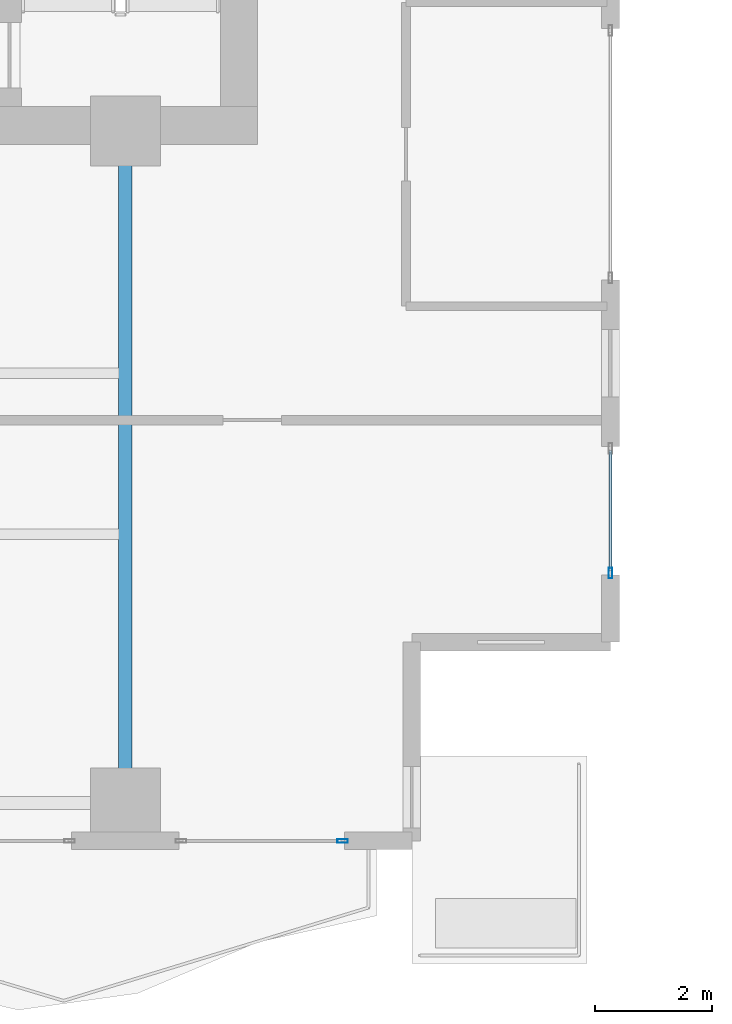
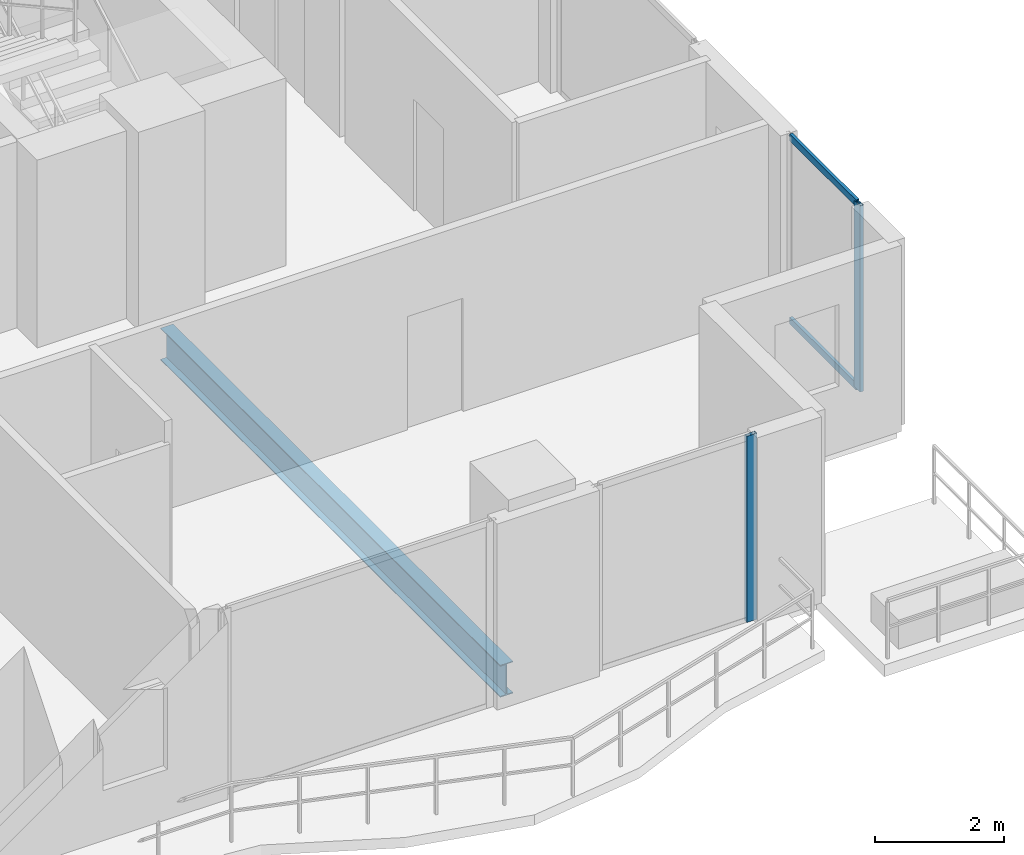
# One storey, part 12 of 33: 4 members, 1 beam, 2 elements without a shape of their own.
"""IFC4 building model written with IfcOpenShell, lengths in metres."""

import ifcopenshell
import ifcopenshell.guid

model = None  # the IFC model being written
_history = None  # IfcOwnerHistory: only IFC2X3 demands one
_inside = {}  # id of a spatial element -> (the spatial element, [elements in it])
_under = {}  # id of a project, library or spatial element -> (it, [spatial elements below it])
_declared = {}  # id of a project -> (the project, [libraries it declares])
_typed = {}  # id of a type object -> (the type object, [elements of that type])
_made_of = {}  # id of a material, layer set ... -> (it, [elements and type objects made of it])


def new_model(schema):
    """Start an empty IFC model of exactly this schema.

    Asked for "IFC4X3", IfcOpenShell would pick the latest addendum, in which some entities
    have other attributes; the version numbers below select the first issue.
    IFC2X3 requires an IfcOwnerHistory on every rooted entity: one is made here for all.
    """
    global model, _history
    if schema == "IFC4X3":
        model = ifcopenshell.file(schema_version=(4, 3, 0, 0))
    else:
        model = ifcopenshell.file(schema=schema)
    _inside.clear()
    _under.clear()
    _declared.clear()
    _typed.clear()
    _made_of.clear()
    _history = None
    if model.schema == "IFC2X3":
        org = make("IfcOrganization", Name="unknown")
        user = make(
            "IfcPersonAndOrganization",
            ThePerson=make("IfcPerson", FamilyName="unknown"),
            TheOrganization=org,
        )
        app = make(
            "IfcApplication",
            ApplicationDeveloper=org,
            Version="unknown",
            ApplicationFullName="unknown",
            ApplicationIdentifier="unknown",
        )
        _history = make(
            "IfcOwnerHistory",
            OwningUser=user,
            OwningApplication=app,
            ChangeAction="ADDED",
            CreationDate=0,
        )
    return model


def make(cls, **values):
    """One entity of the class cls with the attributes given. An attribute that is None is left unset."""
    return model.create_entity(
        cls, **{name: value for name, value in values.items() if value is not None}
    )


def rooted(cls, **values):
    """An entity with a GlobalId (a new one), such as an element, a storey or a relation."""
    return make(cls, GlobalId=ifcopenshell.guid.new(), OwnerHistory=_history, **values)


def si_unit(unit_type, name, prefix=None):
    """IfcSIUnit, for example si_unit("LENGTHUNIT", "METRE", prefix="MILLI")."""
    return make("IfcSIUnit", UnitType=unit_type, Prefix=prefix, Name=name)


def assignment(units):
    """IfcUnitAssignment: the units of a project."""
    return None if units is None else make("IfcUnitAssignment", Units=units)


def point(xyz):
    """IfcCartesianPoint."""
    return None if xyz is None else make("IfcCartesianPoint", Coordinates=xyz)


def direction(xyz):
    """IfcDirection."""
    return None if xyz is None else make("IfcDirection", DirectionRatios=xyz)


def frame(location, z_axis=None, x_axis=None):
    """IfcAxis2Placement3D, a coordinate frame: its origin and axes. An axis left out is left unset."""
    return make(
        "IfcAxis2Placement3D",
        Location=point(location),
        Axis=direction(z_axis),
        RefDirection=direction(x_axis),
    )


def frame_2d(location, x_axis=None):
    """IfcAxis2Placement2D, a coordinate frame in the plane: its origin and x axis."""
    return make(
        "IfcAxis2Placement2D", Location=point(location), RefDirection=direction(x_axis)
    )


def origin():
    """The frame at (0, 0, 0) with its axes left unset."""
    return frame((0.0, 0.0, 0.0))


def origin_2d():
    """The frame at (0, 0) in the plane with its x axis left unset."""
    return frame_2d((0.0, 0.0))


def place(relative_to, where):
    """IfcLocalPlacement: puts the frame where relative to a parent placement (None: the world)."""
    return make(
        "IfcLocalPlacement", PlacementRelTo=relative_to, RelativePlacement=where
    )


def context(
    kind, dimensions, precision=None, world=None, true_north=None, identifier=None
):
    """IfcGeometricRepresentationContext, for example the 3D "Model" context."""
    return make(
        "IfcGeometricRepresentationContext",
        ContextIdentifier=identifier,
        ContextType=kind,
        CoordinateSpaceDimension=dimensions,
        Precision=precision,
        WorldCoordinateSystem=world,
        TrueNorth=true_north,
    )


def subcontext(parent, identifier, kind, view, scale=None):
    """IfcGeometricRepresentationSubContext, for example "Body" below "Model"."""
    return make(
        "IfcGeometricRepresentationSubContext",
        ContextIdentifier=identifier,
        ContextType=kind,
        ParentContext=parent,
        TargetScale=scale,
        TargetView=view,
    )


def project(units=None, contexts=None):
    """IfcProject with its units and contexts."""
    return rooted(
        "IfcProject",
        Name="project",
        RepresentationContexts=contexts,
        UnitsInContext=assignment(units),
    )


def spatial(cls, under=None, at=None, **own):
    """A site, building, storey or space (cls), placed at a placement, below another one or the project."""
    s = rooted(cls, ObjectPlacement=at, **own)
    if under is not None:
        _under.setdefault(under.id(), (under, []))[1].append(s)
    return s


def profile(cls, at=None, kind="AREA", **sizes):
    """A parametric profile (cls). Its sizes go by their IFC names, for example OverallWidth=200.0."""
    return make(cls, ProfileType=kind, Position=at, **sizes)


def hollow_rectangle(**sizes):
    """IfcRectangleHollowProfileDef."""
    return profile("IfcRectangleHollowProfileDef", **sizes)


def i_section(**sizes):
    """IfcIShapeProfileDef."""
    return profile("IfcIShapeProfileDef", **sizes)


def extrude(swept, where, along, depth):
    """IfcExtrudedAreaSolid: the profile swept, set in the frame where, extruded along a direction by depth."""
    return make(
        "IfcExtrudedAreaSolid",
        SweptArea=swept,
        Position=where,
        ExtrudedDirection=direction(along),
        Depth=depth,
    )


def shape(context_of_items, identifier, shape_type, items):
    """IfcShapeRepresentation: the items that make up one representation, for example the "Body"."""
    return make(
        "IfcShapeRepresentation",
        ContextOfItems=context_of_items,
        RepresentationIdentifier=identifier,
        RepresentationType=shape_type,
        Items=items,
    )


def material(Name=None, Category=None):
    """IfcMaterial."""
    return make("IfcMaterial", Name=Name, Category=Category)


def layer(
    of_material, thickness, ventilated=None, Name=None, Category=None, Priority=None
):
    """IfcMaterialLayer: one layer of a wall or slab, of a material (None: an air gap)."""
    return make(
        "IfcMaterialLayer",
        Material=of_material,
        LayerThickness=thickness,
        IsVentilated=ventilated,
        Name=Name,
        Category=Category,
        Priority=Priority,
    )


def layer_set(layers, Name=None):
    """IfcMaterialLayerSet."""
    return make("IfcMaterialLayerSet", MaterialLayers=layers, LayerSetName=Name)


def material_profile(
    of_material, cross_section, Name=None, Category=None, Priority=None
):
    """IfcMaterialProfile: a cross section and its material."""
    return make(
        "IfcMaterialProfile",
        Name=Name,
        Material=of_material,
        Profile=cross_section,
        Priority=Priority,
        Category=Category,
    )


def profile_set(profiles, Name=None, composite=None):
    """IfcMaterialProfileSet."""
    return make(
        "IfcMaterialProfileSet",
        Name=Name,
        MaterialProfiles=profiles,
        CompositeProfile=composite,
    )


def made_of(thing, what):
    """Note that an element or type object is made of a material, layer set ...; save() writes the relation."""
    if what is not None:
        _made_of.setdefault(what.id(), (what, []))[1].append(thing)
    return thing


def type_object(cls, material=None, **own):
    """A type object (cls), such as IfcWallType, which elements share."""
    return made_of(rooted(cls, **own), material)


def element(
    cls,
    number,
    at=None,
    inside=None,
    cuts=None,
    type_object=None,
    material=None,
    context=None,
    identifier="Body",
    shape_type=None,
    held_by="IfcProductDefinitionShape",
    body=None,
    shapes=None,
    **own,
):
    """One element of the class cls, such as IfcWall. Its Tag is "e" and its number.

    at: its placement. inside: the storey or other place that contains it. cuts: it is an
    opening in that element (IfcRelVoidsElement). A single representation is given by context,
    identifier, shape_type and body (its items); several are given by shapes. held_by: the class
    of the entity that holds the representations. save() writes the other relations.
    """
    e = rooted(cls, Tag="e%d" % number, ObjectPlacement=at, **own)
    if body is not None:
        shapes = [shape(context, identifier, shape_type, body)]
    if shapes is not None:
        e.Representation = make(held_by, Representations=shapes)
    if inside is not None:
        _inside.setdefault(inside.id(), (inside, []))[1].append(e)
    if cuts is not None:
        rooted(
            "IfcRelVoidsElement", RelatingBuildingElement=cuts, RelatedOpeningElement=e
        )
    if type_object is not None:
        _typed.setdefault(type_object.id(), (type_object, []))[1].append(e)
    return made_of(e, material)


def aggregate(whole, parts):
    """IfcRelAggregates: a whole, such as a stair, and the parts it consists of."""
    return rooted("IfcRelAggregates", RelatingObject=whole, RelatedObjects=parts)


def save(model, path):
    """Write the relations noted so far, then the file.

    IfcRelAggregates (storeys below a building ...), IfcRelContainedInSpatialStructure (elements
    in a storey), IfcRelDefinesByType, IfcRelAssociatesMaterial and IfcRelDeclares: one each for
    every whole, place, type object, material and project.
    """
    for whole, parts in _under.values():
        aggregate(whole, parts)
    for where, things in _inside.values():
        rooted(
            "IfcRelContainedInSpatialStructure",
            RelatedElements=things,
            RelatingStructure=where,
        )
    for kind, things in _typed.values():
        rooted("IfcRelDefinesByType", RelatedObjects=things, RelatingType=kind)
    for what, things in _made_of.values():
        rooted("IfcRelAssociatesMaterial", RelatedObjects=things, RelatingMaterial=what)
    for by, libraries in _declared.values():
        rooted("IfcRelDeclares", RelatingContext=by, RelatedDefinitions=libraries)
    model.write(path)


model = new_model("IFC4")

# Units and contexts
model_context = context("Model", 3, precision=1e-05, world=origin(), true_north=direction((0.0, 1.0)))
body_context = subcontext(model_context, "Body", "Model", "MODEL_VIEW")
ifc_project = project(units=[si_unit("LENGTHUNIT", "METRE"), si_unit("AREAUNIT", "SQUARE_METRE"), si_unit("VOLUMEUNIT", "CUBIC_METRE"), si_unit("PLANEANGLEUNIT", "RADIAN"), si_unit("MASSUNIT", "GRAM", prefix="KILO")], contexts=[model_context])

# Site, building, storey
site_placement = place(None, origin())
site = spatial("IfcSite", under=ifc_project, at=site_placement, CompositionType="ELEMENT")
building_placement = place(site_placement, origin())
building = spatial("IfcBuilding", under=site, at=building_placement, Name="Zuhayl Quay Hotel", CompositionType="ELEMENT")
storey_placement = place(building_placement, frame((0.0, 0.0, 207.39990234375)))
storey = spatial("IfcBuildingStorey", under=building, at=storey_placement, Name="L52", CompositionType="ELEMENT", Elevation=207.39990234375)

# Beam
ifc_material_1 = material(Name="Steel ASTM A992 Grade 50", Category="steel")
ifc_material_profile_1 = material_profile(ifc_material_1, i_section(OverallWidth=0.22802734375, OverallDepth=0.60693359375, WebThickness=0.01123046875, FlangeThickness=0.017333984375, at=origin_2d()), Name="W24X76")
ifc_profile_set_1 = profile_set([ifc_material_profile_1], Name="Steel ASTM A992 Grade 50")
beam_type = type_object("IfcBeamType", Name="BM_B3_W24X76", PredefinedType="BEAM", material=ifc_profile_set_1)
beam_placement = place(storey_placement, frame((13.800048828125, -6.449951171875, -0.5234375), z_axis=(0.0, 1.0, 0.0), x_axis=(-1.0, 0.0, 0.0)))
element("IfcBeam", 1, at=beam_placement, inside=storey, type_object=beam_type, Name="L52 Floor Beam FG_S_L52_4", PredefinedType="BEAM", context=body_context, shape_type="SweptSolid", body=[
    extrude(i_section(OverallWidth=0.22802734375, OverallDepth=0.60693359375, WebThickness=0.01123046875, FlangeThickness=0.017333984375, at=origin_2d()), origin(), (0.0, 0.0, 1.0), 10.550048828125),
])

# Curtain wall, member
ifc_material_2 = material(Name="Anodised Aluminium 6063-T6", Category="aluminium")
ifc_layer = layer(ifc_material_2, 0.175048828125, Name="Anodised Aluminium 6063-T6", Category="aluminium")
ifc_layer_set = layer_set([ifc_layer], Name="Anodised Aluminium 6063-T6")
curtain_wall_type = type_object("IfcCurtainWallType", Name="CW_SYS_Z3", PredefinedType="USERDEFINED", material=ifc_layer_set)
curtain_wall_1_placement = place(storey_placement, origin())
curtain_wall_1 = element("IfcCurtainWall", 2, at=curtain_wall_1_placement, inside=storey, type_object=curtain_wall_type, Name="L52 Curtain Wall ENV_L52_E14_CW2", ObjectType="UNITISED CURTAIN WALL", PredefinedType="USERDEFINED")
ifc_material_3 = material(Name="Black-anodised aluminium 6063-T6", Category="aluminium")
ifc_material_profile_2 = material_profile(ifc_material_3, hollow_rectangle(XDim=0.06494140625, YDim=0.179931640625, WallThickness=0.00341796875, at=origin_2d()), Name="ALU180X65")
ifc_profile_set_2 = profile_set([ifc_material_profile_2], Name="Black-anodised aluminium 6063-T6")
member_type_1 = type_object("IfcMemberType", Name="MB_CW_MUL_180", PredefinedType="MULLION", material=ifc_profile_set_2)
member_1_placement = place(storey_placement, frame((22.10009765625, -3.017578125, 0.0), z_axis=(0.0, 0.0, 1.0), x_axis=(1.0, 0.0, 0.0)))
member_1 = element("IfcMember", 3, at=member_1_placement, type_object=member_type_1, Name="CW-Z3 mullion 2", PredefinedType="MULLION", context=body_context, shape_type="SweptSolid", body=[
    extrude(hollow_rectangle(XDim=0.06494140625, YDim=0.179931640625, WallThickness=0.00341796875, at=origin_2d()), origin(), (0.0, 0.0, 1.0), 3.530029296875),
])

curtain_wall_2_placement = place(storey_placement, origin())
curtain_wall_2 = element("IfcCurtainWall", 4, at=curtain_wall_2_placement, inside=storey, type_object=curtain_wall_type, Name="L52 Curtain Wall ENV_L52_S_CW1", ObjectType="UNITISED CURTAIN WALL", PredefinedType="USERDEFINED")
member_2_placement = place(storey_placement, frame((17.517578125, -7.60009765625, 0.0), z_axis=(0.0, 0.0, 1.0), x_axis=(0.0, -1.0, 0.0)))
member_2 = element("IfcMember", 5, at=member_2_placement, type_object=member_type_1, Name="CW-Z3 mullion 1", PredefinedType="MULLION", context=body_context, shape_type="SweptSolid", body=[
    extrude(hollow_rectangle(XDim=0.06494140625, YDim=0.179931640625, WallThickness=0.00341796875, at=origin_2d()), origin(), (0.0, 0.0, 1.0), 3.530029296875),
])
aggregate(curtain_wall_2, [member_2])

# Member
ifc_material_profile_3 = material_profile(ifc_material_3, hollow_rectangle(XDim=0.054931640625, YDim=0.1298828125, WallThickness=0.0029296875, at=origin_2d()), Name="ALU130X55")
ifc_profile_set_3 = profile_set([ifc_material_profile_3], Name="Black-anodised aluminium 6063-T6")
member_type_2 = type_object("IfcMemberType", Name="MB_CW_TRN_130", PredefinedType="USERDEFINED", material=ifc_profile_set_3)
member_3_placement = place(storey_placement, frame((22.10009765625, -0.9150390625, 0.027587890625), z_axis=(0.0, -1.0, 0.0), x_axis=(1.0, 0.0, 0.0)))
member_3 = element("IfcMember", 6, at=member_3_placement, type_object=member_type_2, Name="CW-Z3 transom 1.1", ObjectType="TRANSOM", PredefinedType="USERDEFINED", context=body_context, shape_type="SweptSolid", body=[
    extrude(hollow_rectangle(XDim=0.054931640625, YDim=0.1298828125, WallThickness=0.0029296875, at=origin_2d()), origin(), (0.0, 0.0, 1.0), 2.070068359375),
])

member_4_placement = place(storey_placement, frame((22.10009765625, -0.9150390625, 3.502685546875), z_axis=(0.0, -1.0, 0.0), x_axis=(1.0, 0.0, 0.0)))
member_4 = element("IfcMember", 7, at=member_4_placement, type_object=member_type_2, Name="CW-Z3 transom 1.2", ObjectType="TRANSOM", PredefinedType="USERDEFINED", context=body_context, shape_type="SweptSolid", body=[
    extrude(hollow_rectangle(XDim=0.054931640625, YDim=0.1298828125, WallThickness=0.0029296875, at=origin_2d()), origin(), (0.0, 0.0, 1.0), 2.070068359375),
])

aggregate(curtain_wall_1, [member_1, member_3, member_4])

save(model, "model.ifc")
